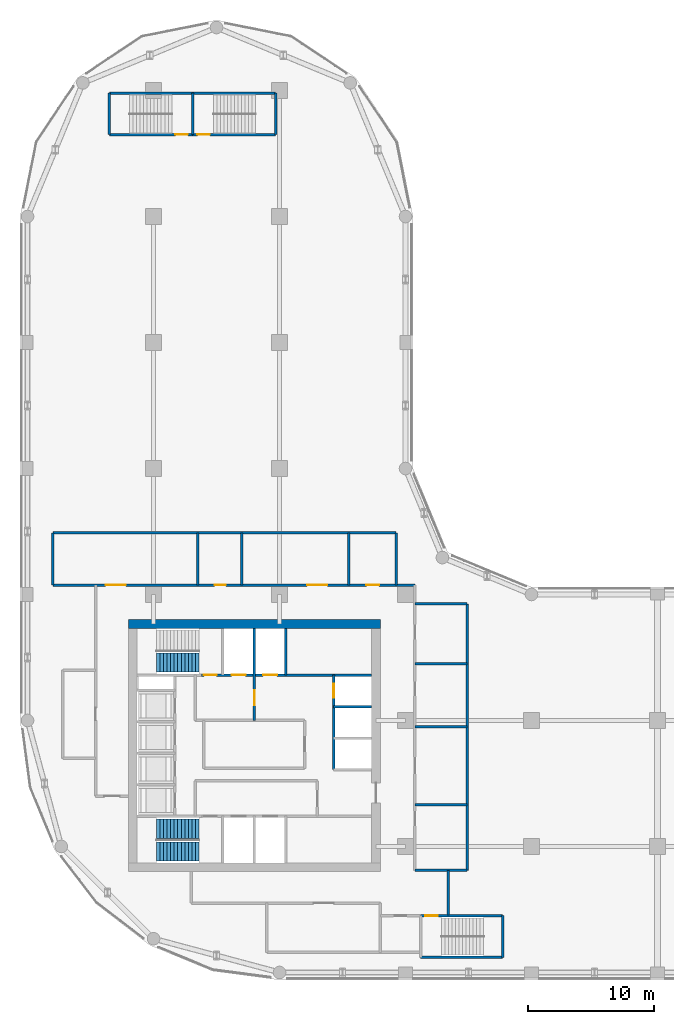
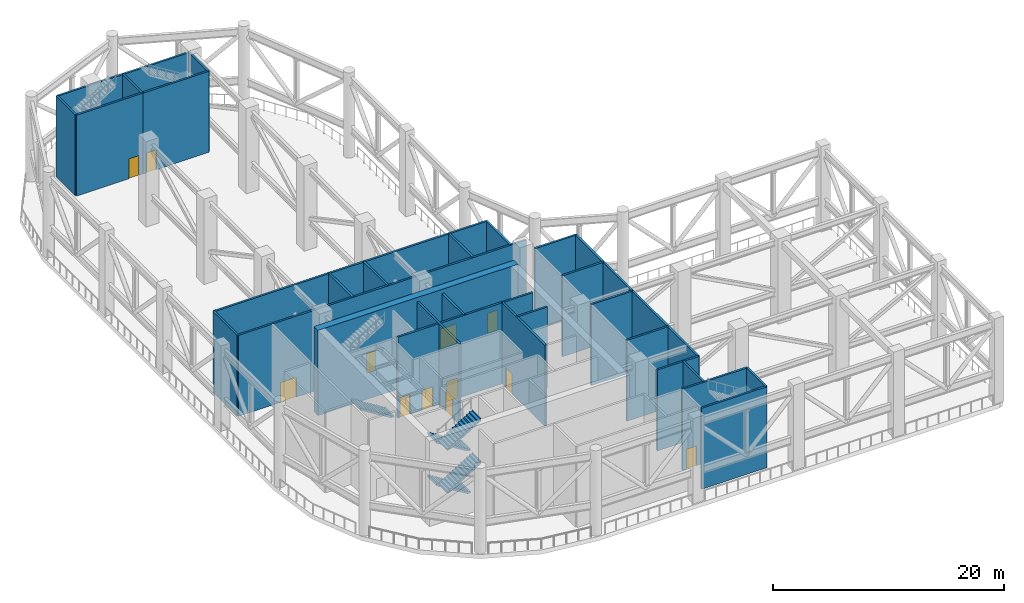
# One storey, part 8 of 13: 30 walls, 12 doors, 5 stair flights, 12 openings, 2 elements without a shape of their own.
"""IFC4 building model written with IfcOpenShell, lengths in metres."""

from ifc_helpers import new_model, si_unit, direction, frame, frame_2d, origin, place, context, subcontext, project, spatial, polyline, rectangle, outline, extrude, material, layer, layer_set, type_object, element, fill, aggregate, save


model = new_model("IFC4")

# Units and contexts
model_context = context("Model", 3, precision=1e-05, world=origin(), true_north=direction((0.0, 1.0)))
body_context = subcontext(model_context, "Body", "Model", "MODEL_VIEW")
ifc_project = project(units=[si_unit("LENGTHUNIT", "METRE"), si_unit("AREAUNIT", "SQUARE_METRE"), si_unit("VOLUMEUNIT", "CUBIC_METRE"), si_unit("PLANEANGLEUNIT", "RADIAN"), si_unit("MASSUNIT", "GRAM", prefix="KILO")], contexts=[model_context])

# Site, building, storey
site_placement = place(None, origin())
site = spatial("IfcSite", under=ifc_project, at=site_placement, CompositionType="ELEMENT")
building_placement = place(site_placement, origin())
building = spatial("IfcBuilding", under=site, at=building_placement, Name="Qaws Garden Tower", CompositionType="ELEMENT")
storey_placement = place(building_placement, frame((0.0, 0.0, 237.0)))
storey = spatial("IfcBuildingStorey", under=building, at=storey_placement, Name="L58", CompositionType="ELEMENT", Elevation=237.0)

# Wall
ifc_material_1 = material(Name="Concrete C70", Category="concrete")
ifc_layer_1 = layer(ifc_material_1, 0.199951171875)
ifc_layer_set_1 = layer_set([ifc_layer_1], Name="Concrete C70")
wall_type_1 = type_object("IfcWallType", Name="Core shaft wall 200 C70", PredefinedType="SHEAR", material=ifc_layer_set_1)
wall_1_placement = place(storey_placement, frame((31.199951171875, 1.199951171875, 0.0), z_axis=(0.0, 0.0, 1.0), x_axis=(1.0, 0.0, 0.0)))
element("IfcWall", 1, at=wall_1_placement, inside=storey, type_object=wall_type_1, Name="Shaft wall", PredefinedType="SHEAR", context=body_context, shape_type="SweptSolid", body=[
    extrude(rectangle(XDim=6.5, YDim=0.199951171875, at=frame_2d((3.25, 0.0))), origin(), (0.0, 0.0, 1.0), 8.550048828125),
])

# Wall, opening, door
wall_2_placement = place(storey_placement, frame((31.199951171875, 4.5, 0.0), z_axis=(0.0, 0.0, 1.0), x_axis=(1.0, 0.0, 0.0)))
wall_2 = element("IfcWall", 2, at=wall_2_placement, inside=storey, type_object=wall_type_1, Name="Shaft wall", PredefinedType="SHEAR", context=body_context, shape_type="SweptSolid", body=[
    extrude(rectangle(XDim=6.5, YDim=0.199951171875, at=frame_2d((3.25, 0.0))), origin(), (0.0, 0.0, 1.0), 8.550048828125),
])
opening_1_placement = place(wall_2_placement, frame((0.375, 0.0, 0.0)))
opening_1 = element("IfcOpeningElement", 3, at=opening_1_placement, cuts=wall_2, Name="Opening SD12", PredefinedType="OPENING", context=body_context, shape_type="SweptSolid", body=[
    extrude(rectangle(XDim=1.0, YDim=2.10009765625, at=frame_2d((0.5, 1.050048828125))), frame((0.0, 0.10986328125, 0.0), z_axis=(0.0, -1.0, 0.0), x_axis=(1.0, 0.0, 0.0)), (0.0, 0.0, 1.0), 0.219970703125),
])
ifc_material_2 = material(Name="Steel S235", Category="steel")
door_type_1 = type_object("IfcDoorType", Name="Stair door 1000x2100", OperationType="SINGLE_SWING_RIGHT", PredefinedType="DOOR", material=ifc_material_2)
door_1_placement = place(opening_1_placement, frame((1.0, 0.0, 0.0), z_axis=(0.0, 0.0, 1.0), x_axis=(-1.0, 0.0, 0.0)))
door_1 = element("IfcDoor", 4, at=door_1_placement, inside=storey, type_object=door_type_1, Name="Stair 5 door", OperationType="SINGLE_SWING_RIGHT", OverallHeight=2.10009765625, OverallWidth=1.0, PredefinedType="DOOR", context=body_context, shape_type="SweptSolid", body=[
    extrude(rectangle(XDim=1.0, YDim=2.10009765625, at=frame_2d((0.5, 1.050048828125))), frame((0.0, 0.02490234375, 0.0), z_axis=(0.0, -1.0, 0.0), x_axis=(1.0, 0.0, 0.0)), (0.0, 0.0, 1.0), 0.050048828125),
])
fill(opening_1, door_1)

# Wall
wall_3_placement = place(storey_placement, frame((24.300048828125, 21.10009765625, 0.0), z_axis=(0.0, 0.0, 1.0), x_axis=(1.0, 0.0, 0.0)))
element("IfcWall", 5, at=wall_3_placement, inside=storey, type_object=wall_type_1, Name="Shaft wall", PredefinedType="SHEAR", context=body_context, shape_type="SweptSolid", body=[
    extrude(rectangle(XDim=3.0, YDim=0.199951171875, at=frame_2d((1.5, 0.0))), origin(), (0.0, 0.0, 1.0), 8.550048828125),
])

# Wall, openings, doors
wall_4_placement = place(storey_placement, frame((13.800048828125, 23.60009765625, 0.0), z_axis=(0.0, 0.0, 1.0), x_axis=(1.0, 0.0, 0.0)))
wall_4 = element("IfcWall", 6, at=wall_4_placement, inside=storey, type_object=wall_type_1, Name="Shaft wall", PredefinedType="SHEAR", context=body_context, shape_type="SweptSolid", body=[
    extrude(rectangle(XDim=13.5, YDim=0.199951171875, at=frame_2d((6.75, 0.0))), origin(), (0.0, 0.0, 1.0), 8.550048828125),
])
opening_2_placement = place(wall_4_placement, frame((2.39990234375, 0.0, 0.0)))
opening_2 = element("IfcOpeningElement", 7, at=opening_2_placement, cuts=wall_4, Name="Opening LD08", PredefinedType="OPENING", context=body_context, shape_type="SweptSolid", body=[
    extrude(rectangle(XDim=1.10009765625, YDim=2.10009765625, at=frame_2d((0.550048828125, 1.050048828125))), frame((0.0, 0.10986328125, 0.0), z_axis=(0.0, -1.0, 0.0), x_axis=(1.0, 0.0, 0.0)), (0.0, 0.0, 1.0), 0.219970703125),
])
opening_3_placement = place(wall_4_placement, frame((4.89990234375, 0.0, 0.0)))
opening_3 = element("IfcOpeningElement", 8, at=opening_3_placement, cuts=wall_4, Name="Opening LD09", PredefinedType="OPENING", context=body_context, shape_type="SweptSolid", body=[
    extrude(rectangle(XDim=1.10009765625, YDim=2.10009765625, at=frame_2d((0.550048828125, 1.050048828125))), frame((0.0, 0.10986328125, 0.0), z_axis=(0.0, -1.0, 0.0), x_axis=(1.0, 0.0, 0.0)), (0.0, 0.0, 1.0), 0.219970703125),
])
opening_4_placement = place(wall_4_placement, frame((0.199951171875, 0.0, 0.0)))
opening_4 = element("IfcOpeningElement", 9, at=opening_4_placement, cuts=wall_4, Name="Opening SD11", PredefinedType="OPENING", context=body_context, shape_type="SweptSolid", body=[
    extrude(rectangle(XDim=1.0, YDim=2.10009765625, at=frame_2d((0.5, 1.050048828125))), frame((0.0, 0.10986328125, 0.0), z_axis=(0.0, -1.0, 0.0), x_axis=(1.0, 0.0, 0.0)), (0.0, 0.0, 1.0), 0.219970703125),
])
ifc_material_3 = material(Name="Steel S235", Category="steel")
door_type_2 = type_object("IfcDoorType", Name="Landing door 1100x2100", OperationType="DOUBLE_DOOR_SLIDING", PredefinedType="DOOR", material=ifc_material_3)
door_2_placement = place(opening_2_placement, origin())
door_2 = element("IfcDoor", 10, at=door_2_placement, inside=storey, type_object=door_type_2, Name="Lift FF3 landing door", OperationType="DOUBLE_DOOR_SLIDING", OverallHeight=2.10009765625, OverallWidth=1.10009765625, PredefinedType="DOOR", context=body_context, shape_type="SweptSolid", body=[
    extrude(rectangle(XDim=1.10009765625, YDim=2.10009765625, at=frame_2d((0.550048828125, 1.050048828125))), frame((0.0, 0.02490234375, 0.0), z_axis=(0.0, -1.0, 0.0), x_axis=(1.0, 0.0, 0.0)), (0.0, 0.0, 1.0), 0.050048828125),
])
fill(opening_2, door_2)
door_3_placement = place(opening_3_placement, origin())
door_3 = element("IfcDoor", 11, at=door_3_placement, inside=storey, type_object=door_type_2, Name="Lift SV2 landing door", OperationType="DOUBLE_DOOR_SLIDING", OverallHeight=2.10009765625, OverallWidth=1.10009765625, PredefinedType="DOOR", context=body_context, shape_type="SweptSolid", body=[
    extrude(rectangle(XDim=1.10009765625, YDim=2.10009765625, at=frame_2d((0.550048828125, 1.050048828125))), frame((0.0, 0.02490234375, 0.0), z_axis=(0.0, -1.0, 0.0), x_axis=(1.0, 0.0, 0.0)), (0.0, 0.0, 1.0), 0.050048828125),
])
fill(opening_3, door_3)
door_4_placement = place(opening_4_placement, frame((1.0, 0.0, 0.0), z_axis=(0.0, 0.0, 1.0), x_axis=(-1.0, 0.0, 0.0)))
door_4 = element("IfcDoor", 12, at=door_4_placement, inside=storey, type_object=door_type_1, Name="Stair 4 door", OperationType="SINGLE_SWING_RIGHT", OverallHeight=2.10009765625, OverallWidth=1.0, PredefinedType="DOOR", context=body_context, shape_type="SweptSolid", body=[
    extrude(rectangle(XDim=1.0, YDim=2.10009765625, at=frame_2d((0.5, 1.050048828125))), frame((0.0, 0.02490234375, 0.0), z_axis=(0.0, -1.0, 0.0), x_axis=(1.0, 0.0, 0.0)), (0.0, 0.0, 1.0), 0.050048828125),
])
fill(opening_4, door_4)

# Wall, opening, door
wall_5_placement = place(storey_placement, frame((6.5, 66.5, 0.0), z_axis=(0.0, 0.0, 1.0), x_axis=(1.0, 0.0, 0.0)))
wall_5 = element("IfcWall", 13, at=wall_5_placement, inside=storey, type_object=wall_type_1, Name="Shaft wall", PredefinedType="SHEAR", context=body_context, shape_type="SweptSolid", body=[
    extrude(rectangle(XDim=6.60009765625, YDim=0.199951171875, at=frame_2d((3.300048828125, 0.0))), origin(), (0.0, 0.0, 1.0), 8.550048828125),
])
opening_5_placement = place(wall_5_placement, frame((5.22509765625, 0.0, 0.0)))
opening_5 = element("IfcOpeningElement", 14, at=opening_5_placement, cuts=wall_5, Name="Opening SD13", PredefinedType="OPENING", context=body_context, shape_type="SweptSolid", body=[
    extrude(rectangle(XDim=1.0, YDim=2.10009765625, at=frame_2d((0.5, 1.050048828125))), frame((0.0, 0.10986328125, 0.0), z_axis=(0.0, -1.0, 0.0), x_axis=(1.0, 0.0, 0.0)), (0.0, 0.0, 1.0), 0.219970703125),
])
door_5_placement = place(opening_5_placement, origin())
door_5 = element("IfcDoor", 15, at=door_5_placement, inside=storey, type_object=door_type_1, Name="Stair 6 door", OperationType="SINGLE_SWING_RIGHT", OverallHeight=2.10009765625, OverallWidth=1.0, PredefinedType="DOOR", context=body_context, shape_type="SweptSolid", body=[
    extrude(rectangle(XDim=1.0, YDim=2.10009765625, at=frame_2d((0.5, 1.050048828125))), frame((0.0, 0.02490234375, 0.0), z_axis=(0.0, -1.0, 0.0), x_axis=(1.0, 0.0, 0.0)), (0.0, 0.0, 1.0), 0.050048828125),
])
fill(opening_5, door_5)

wall_6_placement = place(storey_placement, frame((13.10009765625, 66.5, 0.0), z_axis=(0.0, 0.0, 1.0), x_axis=(1.0, 0.0, 0.0)))
wall_6 = element("IfcWall", 16, at=wall_6_placement, inside=storey, type_object=wall_type_1, Name="Shaft wall", PredefinedType="SHEAR", context=body_context, shape_type="SweptSolid", body=[
    extrude(rectangle(XDim=6.599853515625, YDim=0.199951171875, at=frame_2d((3.2998046875, 0.0))), origin(), (0.0, 0.0, 1.0), 8.550048828125),
])
opening_6_placement = place(wall_6_placement, frame((0.375, 0.0, 0.0)))
opening_6 = element("IfcOpeningElement", 17, at=opening_6_placement, cuts=wall_6, Name="Opening SD14", PredefinedType="OPENING", context=body_context, shape_type="SweptSolid", body=[
    extrude(rectangle(XDim=1.0, YDim=2.10009765625, at=frame_2d((0.5, 1.050048828125))), frame((0.0, 0.10986328125, 0.0), z_axis=(0.0, -1.0, 0.0), x_axis=(1.0, 0.0, 0.0)), (0.0, 0.0, 1.0), 0.219970703125),
])
door_6_placement = place(opening_6_placement, origin())
door_6 = element("IfcDoor", 18, at=door_6_placement, inside=storey, type_object=door_type_1, Name="Stair 7 door", OperationType="SINGLE_SWING_LEFT", OverallHeight=2.10009765625, OverallWidth=1.0, PredefinedType="DOOR", context=body_context, shape_type="SweptSolid", body=[
    extrude(rectangle(XDim=1.0, YDim=2.10009765625, at=frame_2d((0.5, 1.050048828125))), frame((0.0, 0.02490234375, 0.0), z_axis=(0.0, -1.0, 0.0), x_axis=(1.0, 0.0, 0.0)), (0.0, 0.0, 1.0), 0.050048828125),
])
fill(opening_6, door_6)

# Walls
wall_7_placement = place(storey_placement, frame((6.5, 69.800048828125, 0.0), z_axis=(0.0, 0.0, 1.0), x_axis=(1.0, 0.0, 0.0)))
element("IfcWall", 19, at=wall_7_placement, inside=storey, type_object=wall_type_1, Name="Shaft wall", PredefinedType="SHEAR", context=body_context, shape_type="SweptSolid", body=[
    extrude(rectangle(XDim=6.60009765625, YDim=0.199951171875, at=frame_2d((3.300048828125, 0.0))), origin(), (0.0, 0.0, 1.0), 8.550048828125),
])
wall_8_placement = place(storey_placement, frame((13.10009765625, 69.800048828125, 0.0), z_axis=(0.0, 0.0, 1.0), x_axis=(1.0, 0.0, 0.0)))
element("IfcWall", 20, at=wall_8_placement, inside=storey, type_object=wall_type_1, Name="Shaft wall", PredefinedType="SHEAR", context=body_context, shape_type="SweptSolid", body=[
    extrude(rectangle(XDim=6.599853515625, YDim=0.199951171875, at=frame_2d((3.2998046875, 0.0))), origin(), (0.0, 0.0, 1.0), 8.550048828125),
])
for number, where, z_axis, x_axis, name in (
    (21, (6.5, 66.5, 0.0), (0.0, 0.0, 1.0), (0.0, 1.0, 0.0), "Shaft wall"),
    (22, (13.10009765625, 66.5, 0.0), (0.0, 0.0, 1.0), (0.0, 1.0, 0.0), "Shaft wall"),
):
    element("IfcWall", number, at=place(storey_placement, frame(where, z_axis=z_axis, x_axis=x_axis)), inside=storey, type_object=wall_type_1, Name=name, PredefinedType="SHEAR", context=body_context, shape_type="SweptSolid", body=[
        extrude(rectangle(XDim=3.300048828125, YDim=0.199951171875, at=frame_2d((1.64990234375, 0.0))), origin(), (0.0, 0.0, 1.0), 8.550048828125),
    ])

# Wall, opening, door
wall_9_placement = place(storey_placement, frame((18.0, 20.0, 0.0), z_axis=(0.0, 0.0, 1.0), x_axis=(0.0, 1.0, 0.0)))
wall_9 = element("IfcWall", 23, at=wall_9_placement, inside=storey, type_object=wall_type_1, Name="Shaft wall", PredefinedType="SHEAR", context=body_context, shape_type="SweptSolid", body=[
    extrude(rectangle(XDim=7.300048828125, YDim=0.199951171875, at=frame_2d((3.64990234375, 0.0))), origin(), (0.0, 0.0, 1.0), 8.550048828125),
])
opening_7_placement = place(wall_9_placement, frame((1.199951171875, 0.0, 0.0)))
opening_7 = element("IfcOpeningElement", 24, at=opening_7_placement, cuts=wall_9, Name="Opening FD16", PredefinedType="OPENING", context=body_context, shape_type="SweptSolid", body=[
    extrude(rectangle(XDim=1.199951171875, YDim=2.10009765625, at=frame_2d((0.60009765625, 1.050048828125))), frame((0.0, 0.10986328125, 0.0), z_axis=(0.0, -1.0, 0.0), x_axis=(1.0, 0.0, 0.0)), (0.0, 0.0, 1.0), 0.219970703125),
])
ifc_material_4 = material(Name="Steel S235", Category="steel")
door_type_3 = type_object("IfcDoorType", Name="Lobby door 1200x2100", OperationType="DOUBLE_DOOR_SINGLE_SWING", PredefinedType="DOOR", material=ifc_material_4)
door_7_placement = place(opening_7_placement, origin())
door_7 = element("IfcDoor", 25, at=door_7_placement, inside=storey, type_object=door_type_3, Name="Fire-fighting lobby door", OperationType="DOUBLE_DOOR_SINGLE_SWING", OverallHeight=2.10009765625, OverallWidth=1.199951171875, PredefinedType="DOOR", context=body_context, shape_type="SweptSolid", body=[
    extrude(rectangle(XDim=1.199951171875, YDim=2.10009765625, at=frame_2d((0.60009765625, 1.050048828125))), frame((0.0, 0.02490234375, 0.0), z_axis=(0.0, -1.0, 0.0), x_axis=(1.0, 0.0, 0.0)), (0.0, 0.0, 1.0), 0.050048828125),
])
fill(opening_7, door_7)

# Walls
wall_10_placement = place(storey_placement, frame((19.699951171875, 66.5, 0.0), z_axis=(0.0, 0.0, 1.0), x_axis=(0.0, 1.0, 0.0)))
element("IfcWall", 26, at=wall_10_placement, inside=storey, type_object=wall_type_1, Name="Shaft wall", PredefinedType="SHEAR", context=body_context, shape_type="SweptSolid", body=[
    extrude(rectangle(XDim=3.300048828125, YDim=0.199951171875, at=frame_2d((1.64990234375, 0.0))), origin(), (0.0, 0.0, 1.0), 8.550048828125),
])
wall_11_placement = place(storey_placement, frame((20.5, 23.60009765625, 0.0), z_axis=(0.0, 0.0, 1.0), x_axis=(0.0, 1.0, 0.0)))
element("IfcWall", 27, at=wall_11_placement, inside=storey, type_object=wall_type_1, Name="Shaft wall", PredefinedType="SHEAR", context=body_context, shape_type="SweptSolid", body=[
    extrude(rectangle(XDim=3.699951171875, YDim=0.199951171875, at=frame_2d((1.85009765625, 0.0))), origin(), (0.0, 0.0, 1.0), 8.550048828125),
])

# Wall, opening, door
wall_12_placement = place(storey_placement, frame((24.300048828125, 16.10009765625, 0.0), z_axis=(0.0, 0.0, 1.0), x_axis=(0.0, 1.0, 0.0)))
wall_12 = element("IfcWall", 28, at=wall_12_placement, inside=storey, type_object=wall_type_1, Name="Shaft wall", PredefinedType="SHEAR", context=body_context, shape_type="SweptSolid", body=[
    extrude(rectangle(XDim=7.5, YDim=0.199951171875, at=frame_2d((3.75, 0.0))), origin(), (0.0, 0.0, 1.0), 8.550048828125),
])
opening_8_placement = place(wall_12_placement, frame((5.699951171875, 0.0, 0.0)))
opening_8 = element("IfcOpeningElement", 29, at=opening_8_placement, cuts=wall_12, Name="Opening LD05", PredefinedType="OPENING", context=body_context, shape_type="SweptSolid", body=[
    extrude(rectangle(XDim=1.10009765625, YDim=2.10009765625, at=frame_2d((0.550048828125, 1.050048828125))), frame((0.0, 0.10986328125, 0.0), z_axis=(0.0, -1.0, 0.0), x_axis=(1.0, 0.0, 0.0)), (0.0, 0.0, 1.0), 0.219970703125),
])
door_8_placement = place(opening_8_placement, origin())
door_8 = element("IfcDoor", 30, at=door_8_placement, inside=storey, type_object=door_type_2, Name="Lift E3 landing door", OperationType="DOUBLE_DOOR_SLIDING", OverallHeight=2.10009765625, OverallWidth=1.10009765625, PredefinedType="DOOR", context=body_context, shape_type="SweptSolid", body=[
    extrude(rectangle(XDim=1.10009765625, YDim=2.10009765625, at=frame_2d((0.550048828125, 1.050048828125))), frame((0.0, 0.02490234375, 0.0), z_axis=(0.0, -1.0, 0.0), x_axis=(1.0, 0.0, 0.0)), (0.0, 0.0, 1.0), 0.050048828125),
])
fill(opening_8, door_8)

# Walls
wall_13_placement = place(storey_placement, frame((37.699951171875, 1.199951171875, 0.0), z_axis=(0.0, 0.0, 1.0), x_axis=(0.0, 1.0, 0.0)))
element("IfcWall", 31, at=wall_13_placement, inside=storey, type_object=wall_type_1, Name="Shaft wall", PredefinedType="SHEAR", context=body_context, shape_type="SweptSolid", body=[
    extrude(rectangle(XDim=3.300048828125, YDim=0.199951171875, at=frame_2d((1.64990234375, 0.0))), origin(), (0.0, 0.0, 1.0), 8.550048828125),
])
ifc_material_5 = material(Name="Concrete C70", Category="concrete")
ifc_layer_2 = layer(ifc_material_5, 0.699951171875)
ifc_layer_set_2 = layer_set([ifc_layer_2], Name="Concrete C70")
wall_type_2 = type_object("IfcWallType", Name="Core wall 700 C70", PredefinedType="SHEAR", material=ifc_layer_set_2)
wall_14_placement = place(storey_placement, frame((28.0, 27.64990234375, 0.0), z_axis=(0.0, 0.0, 1.0), x_axis=(-1.0, 0.0, 0.0)))
element("IfcWall", 32, at=wall_14_placement, inside=storey, type_object=wall_type_2, Name="Core wall L58 north", PredefinedType="SHEAR", context=body_context, shape_type="SweptSolid", body=[
    extrude(rectangle(XDim=20.0, YDim=0.699951171875, at=frame_2d((10.0, 0.0))), origin(), (0.0, 0.0, 1.0), 9.0),
])

# Wall, openings, doors
ifc_material_6 = material(Name="Blockwork", Category="masonry")
ifc_layer_3 = layer(ifc_material_6, 0.199951171875)
ifc_layer_set_3 = layer_set([ifc_layer_3], Name="Blockwork")
wall_type_3 = type_object("IfcWallType", Name="Plant compartment wall 200", PredefinedType="PARTITIONING", material=ifc_layer_set_3)
wall_15_placement = place(storey_placement, frame((2.0, 30.75, 0.0), z_axis=(0.0, 0.0, 1.0), x_axis=(1.0, 0.0, 0.0)))
wall_15 = element("IfcWall", 33, at=wall_15_placement, inside=storey, type_object=wall_type_3, Name="Plant zone wall", PredefinedType="PARTITIONING", context=body_context, shape_type="SweptSolid", body=[
    extrude(rectangle(XDim=28.75, YDim=0.199951171875, at=frame_2d((14.375, 0.0))), origin(), (0.0, 0.0, 1.0), 8.550048828125),
])
opening_9_placement = place(wall_15_placement, frame((4.199951171875, 0.0, 0.0)))
opening_9 = element("IfcOpeningElement", 34, at=opening_9_placement, cuts=wall_15, Name="Opening PZ5805", PredefinedType="OPENING", context=body_context, shape_type="SweptSolid", body=[
    extrude(rectangle(XDim=1.60009765625, YDim=2.10009765625, at=frame_2d((0.800048828125, 1.050048828125))), frame((0.0, 0.10986328125, 0.0), z_axis=(0.0, -1.0, 0.0), x_axis=(1.0, 0.0, 0.0)), (0.0, 0.0, 1.0), 0.219970703125),
])
opening_10_placement = place(wall_15_placement, frame((12.85009765625, 0.0, 0.0)))
opening_10 = element("IfcOpeningElement", 35, at=opening_10_placement, cuts=wall_15, Name="Opening PZ5806", PredefinedType="OPENING", context=body_context, shape_type="SweptSolid", body=[
    extrude(rectangle(XDim=0.89990234375, YDim=2.10009765625, at=frame_2d((0.449951171875, 1.050048828125))), frame((0.0, 0.10986328125, 0.0), z_axis=(0.0, -1.0, 0.0), x_axis=(1.0, 0.0, 0.0)), (0.0, 0.0, 1.0), 0.219970703125),
])
opening_11_placement = place(wall_15_placement, frame((20.199951171875, 0.0, 0.0)))
opening_11 = element("IfcOpeningElement", 36, at=opening_11_placement, cuts=wall_15, Name="Opening PZ5807", PredefinedType="OPENING", context=body_context, shape_type="SweptSolid", body=[
    extrude(rectangle(XDim=1.60009765625, YDim=2.10009765625, at=frame_2d((0.800048828125, 1.050048828125))), frame((0.0, 0.10986328125, 0.0), z_axis=(0.0, -1.0, 0.0), x_axis=(1.0, 0.0, 0.0)), (0.0, 0.0, 1.0), 0.219970703125),
])
opening_12_placement = place(wall_15_placement, frame((24.89990234375, 0.0, 0.0)))
opening_12 = element("IfcOpeningElement", 37, at=opening_12_placement, cuts=wall_15, Name="Opening PZ5808", PredefinedType="OPENING", context=body_context, shape_type="SweptSolid", body=[
    extrude(rectangle(XDim=1.0, YDim=2.10009765625, at=frame_2d((0.5, 1.050048828125))), frame((0.0, 0.10986328125, 0.0), z_axis=(0.0, -1.0, 0.0), x_axis=(1.0, 0.0, 0.0)), (0.0, 0.0, 1.0), 0.219970703125),
])
ifc_material_7 = material(Name="Steel S235", Category="steel")
door_type_4 = type_object("IfcDoorType", Name="Plant door 1000x2100", OperationType="SINGLE_SWING_LEFT", PredefinedType="DOOR", material=ifc_material_7)
door_9_placement = place(opening_12_placement, origin())
door_9 = element("IfcDoor", 38, at=door_9_placement, inside=storey, type_object=door_type_4, Name="Tank room door", OperationType="SINGLE_SWING_RIGHT", OverallHeight=2.10009765625, OverallWidth=1.0, PredefinedType="DOOR", context=body_context, shape_type="SweptSolid", body=[
    extrude(rectangle(XDim=1.0, YDim=2.10009765625, at=frame_2d((0.5, 1.050048828125))), frame((0.0, 0.02490234375, 0.0), z_axis=(0.0, -1.0, 0.0), x_axis=(1.0, 0.0, 0.0)), (0.0, 0.0, 1.0), 0.050048828125),
])
fill(opening_12, door_9)
ifc_material_8 = material(Name="Steel S235", Category="steel")
door_type_5 = type_object("IfcDoorType", Name="Plant door 1600x2100", OperationType="DOUBLE_DOOR_DOUBLE_SWING", PredefinedType="DOOR", material=ifc_material_8)
door_10_placement = place(opening_9_placement, origin())
door_10 = element("IfcDoor", 39, at=door_10_placement, inside=storey, type_object=door_type_5, Name="Chiller plant room door", OperationType="DOUBLE_DOOR_DOUBLE_SWING", OverallHeight=2.10009765625, OverallWidth=1.60009765625, PredefinedType="DOOR", context=body_context, shape_type="SweptSolid", body=[
    extrude(rectangle(XDim=1.60009765625, YDim=2.10009765625, at=frame_2d((0.800048828125, 1.050048828125))), frame((0.0, 0.02490234375, 0.0), z_axis=(0.0, -1.0, 0.0), x_axis=(1.0, 0.0, 0.0)), (0.0, 0.0, 1.0), 0.050048828125),
])
fill(opening_9, door_10)
door_11_placement = place(opening_11_placement, origin())
door_11 = element("IfcDoor", 40, at=door_11_placement, inside=storey, type_object=door_type_5, Name="Generator room door", OperationType="DOUBLE_DOOR_DOUBLE_SWING", OverallHeight=2.10009765625, OverallWidth=1.60009765625, PredefinedType="DOOR", context=body_context, shape_type="SweptSolid", body=[
    extrude(rectangle(XDim=1.60009765625, YDim=2.10009765625, at=frame_2d((0.800048828125, 1.050048828125))), frame((0.0, 0.02490234375, 0.0), z_axis=(0.0, -1.0, 0.0), x_axis=(1.0, 0.0, 0.0)), (0.0, 0.0, 1.0), 0.050048828125),
])
fill(opening_11, door_11)
ifc_material_9 = material(Name="Steel S235", Category="steel")
door_type_6 = type_object("IfcDoorType", Name="Plant door 900x2100", OperationType="SINGLE_SWING_LEFT", PredefinedType="DOOR", material=ifc_material_9)
door_12_placement = place(opening_10_placement, origin())
door_12 = element("IfcDoor", 41, at=door_12_placement, inside=storey, type_object=door_type_6, Name="Plant store door", OperationType="SINGLE_SWING_RIGHT", OverallHeight=2.10009765625, OverallWidth=0.89990234375, PredefinedType="DOOR", context=body_context, shape_type="SweptSolid", body=[
    extrude(rectangle(XDim=0.89990234375, YDim=2.10009765625, at=frame_2d((0.449951171875, 1.050048828125))), frame((0.0, 0.02490234375, 0.0), z_axis=(0.0, -1.0, 0.0), x_axis=(1.0, 0.0, 0.0)), (0.0, 0.0, 1.0), 0.050048828125),
])
fill(opening_10, door_12)

# Walls
wall_16_placement = place(storey_placement, frame((2.0, 34.89990234375, 0.0), z_axis=(0.0, 0.0, 1.0), x_axis=(1.0, 0.0, 0.0)))
element("IfcWall", 42, at=wall_16_placement, inside=storey, type_object=wall_type_3, Name="Plant zone wall", PredefinedType="PARTITIONING", context=body_context, shape_type="SweptSolid", body=[
    extrude(rectangle(XDim=27.25, YDim=0.199951171875, at=frame_2d((13.625, 0.0))), origin(), (0.0, 0.0, 1.0), 8.550048828125),
])
for number, where, z_axis, x_axis, name in (
    (43, (30.75, 8.10009765625, 0.0), (0.0, 0.0, 1.0), (1.0, 0.0, 0.0), "Plant zone wall"),
    (44, (30.75, 13.300048828125, 0.0), (0.0, 0.0, 1.0), (1.0, 0.0, 0.0), "Plant zone wall"),
    (45, (30.75, 19.5, 0.0), (0.0, 0.0, 1.0), (1.0, 0.0, 0.0), "Plant zone wall"),
    (46, (30.75, 24.5, 0.0), (0.0, 0.0, 1.0), (1.0, 0.0, 0.0), "Plant zone wall"),
    (47, (30.75, 29.25, 0.0), (0.0, 0.0, 1.0), (1.0, 0.0, 0.0), "Plant zone wall"),
    (48, (2.0, 30.75, 0.0), (0.0, 0.0, 1.0), (0.0, 1.0, 0.0), "Plant zone wall"),
    (49, (13.5, 30.75, 0.0), (0.0, 0.0, 1.0), (0.0, 1.0, 0.0), "Plant zone wall"),
    (50, (17.0, 30.75, 0.0), (0.0, 0.0, 1.0), (0.0, 1.0, 0.0), "Plant zone wall"),
    (51, (25.5, 30.75, 0.0), (0.0, 0.0, 1.0), (0.0, 1.0, 0.0), "Plant zone wall"),
    (52, (29.25, 30.75, 0.0), (0.0, 0.0, 1.0), (0.0, 1.0, 0.0), "Plant zone wall"),
):
    element("IfcWall", number, at=place(storey_placement, frame(where, z_axis=z_axis, x_axis=x_axis)), inside=storey, type_object=wall_type_3, Name=name, PredefinedType="PARTITIONING", context=body_context, shape_type="SweptSolid", body=[
        extrude(rectangle(XDim=4.14990234375, YDim=0.199951171875, at=frame_2d((2.074951171875, 0.0))), origin(), (0.0, 0.0, 1.0), 8.550048828125),
    ])
wall_17_placement = place(storey_placement, frame((33.39990234375, 4.550048828125, 0.0), z_axis=(0.0, 0.0, 1.0), x_axis=(0.0, 1.0, 0.0)))
element("IfcWall", 53, at=wall_17_placement, inside=storey, type_object=wall_type_3, Name="Plant zone wall", PredefinedType="PARTITIONING", context=body_context, shape_type="SweptSolid", body=[
    extrude(rectangle(XDim=3.550048828125, YDim=0.199951171875, at=frame_2d((1.77490234375, 0.0))), origin(), (0.0, 0.0, 1.0), 8.550048828125),
])
wall_18_placement = place(storey_placement, frame((34.89990234375, 8.10009765625, 0.0), z_axis=(0.0, 0.0, 1.0), x_axis=(0.0, 1.0, 0.0)))
element("IfcWall", 54, at=wall_18_placement, inside=storey, type_object=wall_type_3, Name="Plant zone wall", PredefinedType="PARTITIONING", context=body_context, shape_type="SweptSolid", body=[
    extrude(rectangle(XDim=21.14990234375, YDim=0.199951171875, at=frame_2d((10.574951171875, 0.0))), origin(), (0.0, 0.0, 1.0), 8.550048828125),
])

# Stair, stair flights
ifc_material_10 = material(Name="Concrete C40", Category="concrete")
stair_type = type_object("IfcStairType", Name="Exit stair 1500", PredefinedType="HALF_TURN_STAIR", material=ifc_material_10)
placement = place(storey_placement, origin())
stair_1 = element("IfcStair", 55, at=placement, inside=storey, type_object=stair_type, Name="Stair 1", PredefinedType="HALF_TURN_STAIR")
ifc_material_11 = material(Name="Concrete C40", Category="concrete")
stair_flight_type = type_object("IfcStairFlightType", Name="Stair flight 1500", PredefinedType="STRAIGHT", material=ifc_material_11)
stair_flight_1_placement = place(storey_placement, frame((13.60009765625, 11.39990234375, 0.0), z_axis=(0.0, 0.0, 1.0), x_axis=(-1.0, 0.0, 0.0)))
stair_flight_1 = element("IfcStairFlight", 56, at=stair_flight_1_placement, type_object=stair_flight_type, Name="ST1 flight 1", NumberOfRisers=13, NumberOfTreads=12, PredefinedType="STRAIGHT", RiserHeight=0.173076923, TreadLength=0.28, context=body_context, shape_type="SweptSolid", body=[
    extrude(outline(polyline([(-0.0029296875, 0.0), (-0.0029296875, 0.173095703125), (0.0, 0.173095703125), (0.280029296875, 0.173095703125), (0.280029296875, 0.34619140625), (0.56005859375, 0.34619140625), (0.56005859375, 0.519287109375), (0.840087890625, 0.519287109375), (0.840087890625, 0.6923828125), (1.1201171875, 0.6923828125), (1.1201171875, 0.865478515625), (1.39990234375, 0.865478515625), (1.39990234375, 1.03857421875), (1.679931640625, 1.03857421875), (1.679931640625, 1.21142578125), (1.9599609375, 1.21142578125), (1.9599609375, 1.384521484375), (2.239990234375, 1.384521484375), (2.239990234375, 1.5576171875), (2.52001953125, 1.5576171875), (2.52001953125, 1.730712890625), (2.800048828125, 1.730712890625), (2.800048828125, 1.90380859375), (3.080078125, 1.90380859375), (3.080078125, 2.076904296875), (3.360107421875, 2.076904296875), (3.360107421875, 2.25), (3.363037109375, 2.25), (3.363037109375, 1.900634765625), (3.360107421875, 1.900634765625), (0.28515625, 0.0), (-0.0029296875, 0.0)])), frame((0.0, 0.77001953125, 0.0), z_axis=(0.0, -1.0, 0.0), x_axis=(1.0, 0.0, 0.0)), (0.0, 0.0, 1.0), 1.5400390625),
])
stair_flight_2_placement = place(storey_placement, frame((10.239990234375, 9.60009765625, 2.25), z_axis=(0.0, 0.0, 1.0), x_axis=(1.0, 0.0, 0.0)))
stair_flight_2 = element("IfcStairFlight", 57, at=stair_flight_2_placement, type_object=stair_flight_type, Name="ST1 flight 2", NumberOfRisers=13, NumberOfTreads=12, PredefinedType="STRAIGHT", RiserHeight=0.173076923, TreadLength=0.28, context=body_context, shape_type="SweptSolid", body=[
    extrude(outline(polyline([(-0.0029296875, 0.0), (-0.0029296875, 0.173095703125), (0.0, 0.173095703125), (0.280029296875, 0.173095703125), (0.280029296875, 0.34619140625), (0.56005859375, 0.34619140625), (0.56005859375, 0.519287109375), (0.840087890625, 0.519287109375), (0.840087890625, 0.6923828125), (1.1201171875, 0.6923828125), (1.1201171875, 0.865478515625), (1.39990234375, 0.865478515625), (1.39990234375, 1.03857421875), (1.679931640625, 1.03857421875), (1.679931640625, 1.21142578125), (1.9599609375, 1.21142578125), (1.9599609375, 1.384521484375), (2.239990234375, 1.384521484375), (2.239990234375, 1.5576171875), (2.52001953125, 1.5576171875), (2.52001953125, 1.730712890625), (2.800048828125, 1.730712890625), (2.800048828125, 1.90380859375), (3.080078125, 1.90380859375), (3.080078125, 2.076904296875), (3.360107421875, 2.076904296875), (3.360107421875, 2.25), (3.363037109375, 2.25), (3.363037109375, 1.900634765625), (3.360107421875, 1.900634765625), (0.28515625, 0.0), (-0.0029296875, 0.0)])), frame((0.0, 0.77001953125, 0.0), z_axis=(0.0, -1.0, 0.0), x_axis=(1.0, 0.0, 0.0)), (0.0, 0.0, 1.0), 1.5400390625),
])
stair_flight_3_placement = place(storey_placement, frame((13.60009765625, 11.39990234375, 4.5), z_axis=(0.0, 0.0, 1.0), x_axis=(-1.0, 0.0, 0.0)))
stair_flight_3 = element("IfcStairFlight", 58, at=stair_flight_3_placement, type_object=stair_flight_type, Name="ST1 flight 3", NumberOfRisers=13, NumberOfTreads=12, PredefinedType="STRAIGHT", RiserHeight=0.173076923, TreadLength=0.28, context=body_context, shape_type="SweptSolid", body=[
    extrude(outline(polyline([(-0.0029296875, 0.0), (-0.0029296875, 0.173095703125), (0.0, 0.173095703125), (0.280029296875, 0.173095703125), (0.280029296875, 0.34619140625), (0.56005859375, 0.34619140625), (0.56005859375, 0.519287109375), (0.840087890625, 0.519287109375), (0.840087890625, 0.6923828125), (1.1201171875, 0.6923828125), (1.1201171875, 0.865478515625), (1.39990234375, 0.865478515625), (1.39990234375, 1.03857421875), (1.679931640625, 1.03857421875), (1.679931640625, 1.21142578125), (1.9599609375, 1.21142578125), (1.9599609375, 1.384521484375), (2.239990234375, 1.384521484375), (2.239990234375, 1.5576171875), (2.52001953125, 1.5576171875), (2.52001953125, 1.730712890625), (2.800048828125, 1.730712890625), (2.800048828125, 1.90380859375), (3.080078125, 1.90380859375), (3.080078125, 2.076904296875), (3.360107421875, 2.076904296875), (3.360107421875, 2.25), (3.363037109375, 2.25), (3.363037109375, 1.900634765625), (3.360107421875, 1.900634765625), (0.28515625, 0.0), (-0.0029296875, 0.0)])), frame((0.0, 0.77001953125, 0.0), z_axis=(0.0, -1.0, 0.0), x_axis=(1.0, 0.0, 0.0)), (0.0, 0.0, 1.0), 1.5400390625),
])
stair_flight_4_placement = place(storey_placement, frame((10.239990234375, 9.60009765625, 6.75), z_axis=(0.0, 0.0, 1.0), x_axis=(1.0, 0.0, 0.0)))
stair_flight_4 = element("IfcStairFlight", 59, at=stair_flight_4_placement, type_object=stair_flight_type, Name="ST1 flight 4", NumberOfRisers=13, NumberOfTreads=12, PredefinedType="STRAIGHT", RiserHeight=0.173076923, TreadLength=0.28, context=body_context, shape_type="SweptSolid", body=[
    extrude(outline(polyline([(-0.0029296875, 0.0), (-0.0029296875, 0.173095703125), (0.0, 0.173095703125), (0.280029296875, 0.173095703125), (0.280029296875, 0.34619140625), (0.56005859375, 0.34619140625), (0.56005859375, 0.519287109375), (0.840087890625, 0.519287109375), (0.840087890625, 0.6923828125), (1.1201171875, 0.6923828125), (1.1201171875, 0.865478515625), (1.39990234375, 0.865478515625), (1.39990234375, 1.03857421875), (1.679931640625, 1.03857421875), (1.679931640625, 1.21142578125), (1.9599609375, 1.21142578125), (1.9599609375, 1.384521484375), (2.239990234375, 1.384521484375), (2.239990234375, 1.5576171875), (2.52001953125, 1.5576171875), (2.52001953125, 1.730712890625), (2.800048828125, 1.730712890625), (2.800048828125, 1.90380859375), (3.080078125, 1.90380859375), (3.080078125, 2.076904296875), (3.360107421875, 2.076904296875), (3.360107421875, 2.25), (3.363037109375, 2.25), (3.363037109375, 1.900634765625), (3.360107421875, 1.900634765625), (0.28515625, 0.0), (-0.0029296875, 0.0)])), frame((0.0, 0.77001953125, 0.0), z_axis=(0.0, -1.0, 0.0), x_axis=(1.0, 0.0, 0.0)), (0.0, 0.0, 1.0), 1.5400390625),
])
aggregate(stair_1, [stair_flight_1, stair_flight_2, stair_flight_3, stair_flight_4])

# Stair, stair flight
stair_2 = element("IfcStair", 60, at=placement, inside=storey, type_object=stair_type, Name="Stair 4", PredefinedType="HALF_TURN_STAIR")
stair_flight_5_placement = place(storey_placement, frame((13.60009765625, 24.60009765625, 0.0), z_axis=(0.0, 0.0, 1.0), x_axis=(-1.0, 0.0, 0.0)))
stair_flight_5 = element("IfcStairFlight", 61, at=stair_flight_5_placement, type_object=stair_flight_type, Name="ST4 flight 1", NumberOfRisers=13, NumberOfTreads=12, PredefinedType="STRAIGHT", RiserHeight=0.173076923, TreadLength=0.28, context=body_context, shape_type="SweptSolid", body=[
    extrude(outline(polyline([(-0.0029296875, 0.0), (-0.0029296875, 0.173095703125), (0.0, 0.173095703125), (0.280029296875, 0.173095703125), (0.280029296875, 0.34619140625), (0.56005859375, 0.34619140625), (0.56005859375, 0.519287109375), (0.840087890625, 0.519287109375), (0.840087890625, 0.6923828125), (1.1201171875, 0.6923828125), (1.1201171875, 0.865478515625), (1.39990234375, 0.865478515625), (1.39990234375, 1.03857421875), (1.679931640625, 1.03857421875), (1.679931640625, 1.21142578125), (1.9599609375, 1.21142578125), (1.9599609375, 1.384521484375), (2.239990234375, 1.384521484375), (2.239990234375, 1.5576171875), (2.52001953125, 1.5576171875), (2.52001953125, 1.730712890625), (2.800048828125, 1.730712890625), (2.800048828125, 1.90380859375), (3.080078125, 1.90380859375), (3.080078125, 2.076904296875), (3.360107421875, 2.076904296875), (3.360107421875, 2.25), (3.363037109375, 2.25), (3.363037109375, 1.900634765625), (3.360107421875, 1.900634765625), (0.28515625, 0.0), (-0.0029296875, 0.0)])), frame((0.0, 0.77001953125, 0.0), z_axis=(0.0, -1.0, 0.0), x_axis=(1.0, 0.0, 0.0)), (0.0, 0.0, 1.0), 1.5400390625),
])
aggregate(stair_2, [stair_flight_5])

save(model, "model.ifc")
